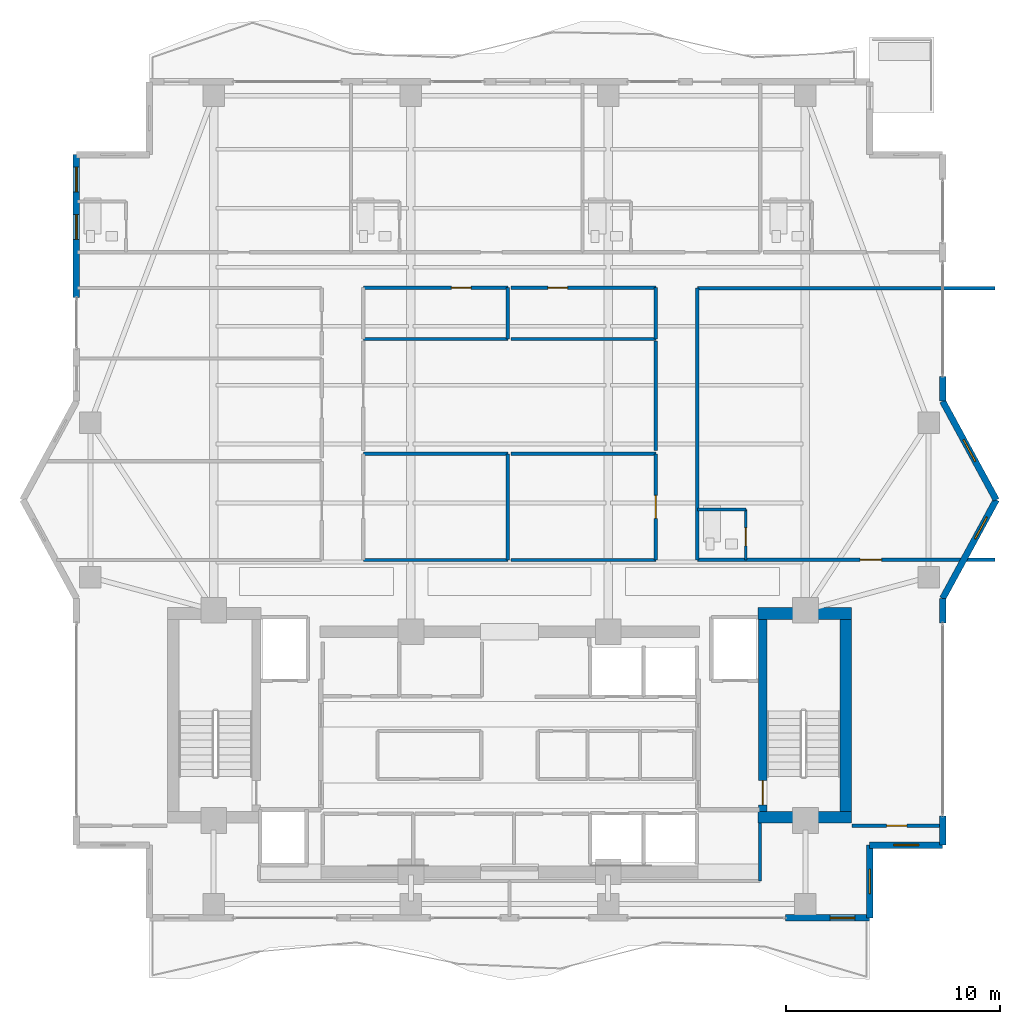
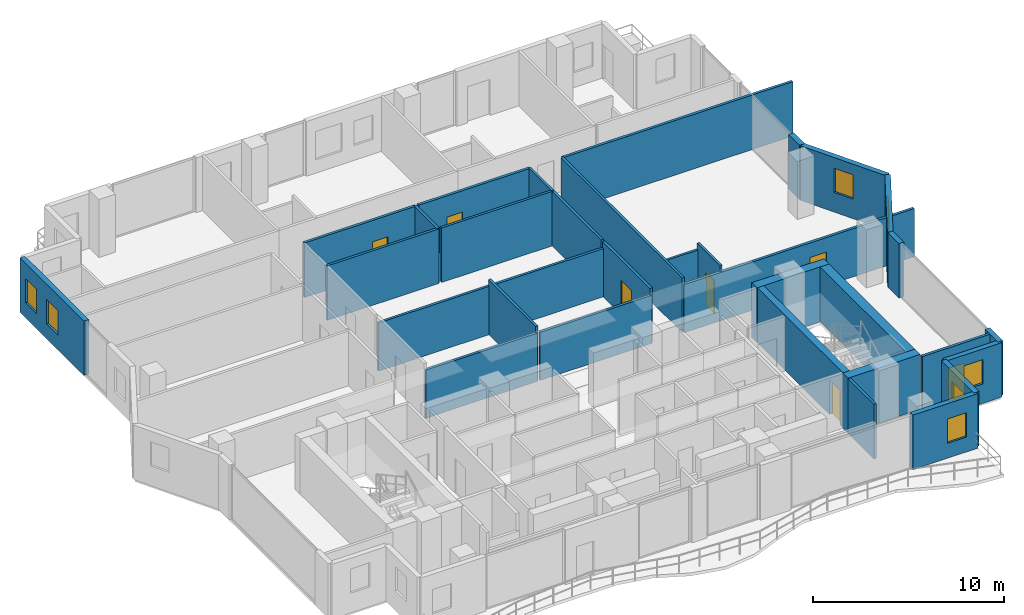
# One storey, part 19 of 24: 33 walls, 7 doors, 7 windows, 14 openings.
"""IFC4 building model written with IfcOpenShell, lengths in metres."""

from ifc_helpers import new_model, si_unit, direction, frame, frame_2d, origin, place, context, subcontext, project, spatial, rectangle, extrude, material, layer, layer_set, type_object, element, fill, save


model = new_model("IFC4")

# Units and contexts
model_context = context("Model", 3, precision=1e-05, world=origin(), true_north=direction((0.0, 1.0)))
body_context = subcontext(model_context, "Body", "Model", "MODEL_VIEW")
ifc_project = project(units=[si_unit("LENGTHUNIT", "METRE"), si_unit("AREAUNIT", "SQUARE_METRE"), si_unit("VOLUMEUNIT", "CUBIC_METRE"), si_unit("PLANEANGLEUNIT", "RADIAN"), si_unit("MASSUNIT", "GRAM", prefix="KILO")], contexts=[model_context])

# Site, building, storey
site_placement = place(None, origin())
site = spatial("IfcSite", under=ifc_project, at=site_placement, CompositionType="ELEMENT")
building_placement = place(site_placement, origin())
building = spatial("IfcBuilding", under=site, at=building_placement, Name="Zuhayl Quay Hotel", CompositionType="ELEMENT")
storey_placement = place(building_placement, frame((0.0, 0.0, 269.25)))
storey = spatial("IfcBuildingStorey", under=building, at=storey_placement, Name="L68", CompositionType="ELEMENT", Elevation=269.25)

# Walls
ifc_material_1 = material(Name="Concrete C50/60", Category="concrete")
ifc_layer_1 = layer(ifc_material_1, 0.550048828125, Name="Concrete C50/60", Category="concrete")
ifc_layer_set_1 = layer_set([ifc_layer_1], Name="Concrete C50/60")
wall_type_1 = type_object("IfcWallType", Name="WL_CORE_550", PredefinedType="SHEAR", material=ifc_layer_set_1)
wall_1_placement = place(storey_placement, frame((11.60009765625, 14.205078125, 0.0), z_axis=(0.0, 0.0, 1.0), x_axis=(1.0, 0.0, 0.0)))
element("IfcWall", 1, at=wall_1_placement, inside=storey, type_object=wall_type_1, Name="L68 Core Shear Wall CW_NE", PredefinedType="SHEAR", context=body_context, shape_type="SweptSolid", body=[
    extrude(rectangle(XDim=4.35986328125, YDim=0.550048828125, at=frame_2d((2.179931640625, 0.0))), origin(), (0.0, 0.0, 1.0), 3.510009765625),
])
wall_2_placement = place(storey_placement, frame((15.68505859375, 4.969970703125, 0.0), z_axis=(0.0, 0.0, 1.0), x_axis=(0.0, 1.0, 0.0)))
element("IfcWall", 2, at=wall_2_placement, inside=storey, type_object=wall_type_1, Name="L68 Core Shear Wall CW_E", PredefinedType="SHEAR", context=body_context, shape_type="SweptSolid", body=[
    extrude(rectangle(XDim=8.9599609375, YDim=0.550048828125, at=frame_2d((4.47998046875, 0.0))), origin(), (0.0, 0.0, 1.0), 3.510009765625),
])
wall_3_placement = place(storey_placement, frame((11.60009765625, 4.695068359375, 0.0), z_axis=(0.0, 0.0, 1.0), x_axis=(1.0, 0.0, 0.0)))
element("IfcWall", 3, at=wall_3_placement, inside=storey, type_object=wall_type_1, Name="L68 Core Shear Wall CW_SE", PredefinedType="SHEAR", context=body_context, shape_type="SweptSolid", body=[
    extrude(rectangle(XDim=4.35986328125, YDim=0.550048828125, at=frame_2d((2.179931640625, 0.0))), origin(), (0.0, 0.0, 1.0), 3.510009765625),
])

# Wall, openings, windows
ifc_material_2 = material(Name="Precast concrete C45/55", Category="concrete")
ifc_layer_2 = layer(ifc_material_2, 0.300048828125, Name="Precast concrete C45/55", Category="concrete")
ifc_layer_set_2 = layer_set([ifc_layer_2], Name="Precast concrete C45/55")
wall_type_2 = type_object("IfcWallType", Name="WL_EXT_300", PredefinedType="STANDARD", material=ifc_layer_set_2)
wall_4_placement = place(storey_placement, frame((-20.199951171875, 28.929931640625, 0.0), z_axis=(0.0, 0.0, 1.0), x_axis=(0.0, 1.0, 0.0)))
wall_4 = element("IfcWall", 4, at=wall_4_placement, inside=storey, type_object=wall_type_2, Name="L68 Exterior Precast Wall ENV_L68_E05_EW2", PredefinedType="STANDARD", context=body_context, shape_type="SweptSolid", body=[
    extrude(rectangle(XDim=6.670166015625, YDim=0.300048828125, at=frame_2d((3.3349609375, 0.0))), origin(), (0.0, 0.0, 1.0), 3.47998046875),
])
opening_1_placement = place(wall_4_placement, frame((2.72509765625, 0.0, 0.949951171875)))
opening_1 = element("IfcOpeningElement", 5, at=opening_1_placement, cuts=wall_4, Name="Opening W01N", PredefinedType="OPENING", context=body_context, shape_type="SweptSolid", body=[
    extrude(rectangle(XDim=1.14990234375, YDim=1.550048828125, at=frame_2d((0.574951171875, 0.77490234375))), frame((0.0, 0.159912109375, 0.0), z_axis=(0.0, -1.0, 0.0), x_axis=(1.0, 0.0, 0.0)), (0.0, 0.0, 1.0), 0.320068359375),
])
opening_2_placement = place(wall_4_placement, frame((4.93994140625, 0.0, 0.949951171875)))
opening_2 = element("IfcOpeningElement", 6, at=opening_2_placement, cuts=wall_4, Name="Opening W01N", PredefinedType="OPENING", context=body_context, shape_type="SweptSolid", body=[
    extrude(rectangle(XDim=1.14990234375, YDim=1.550048828125, at=frame_2d((0.574951171875, 0.77490234375))), frame((0.0, 0.159912109375, 0.0), z_axis=(0.0, -1.0, 0.0), x_axis=(1.0, 0.0, 0.0)), (0.0, 0.0, 1.0), 0.320068359375),
])
ifc_material_3 = material(Name="Dark Ceramic-Fritted Solar Glass", Category="glass")
window_type = type_object("IfcWindowType", Name="WN_NOTCH_1350", PartitioningType="SINGLE_PANEL", PredefinedType="WINDOW", material=ifc_material_3)
window_1_placement = place(opening_1_placement, origin())
window_1 = element("IfcWindow", 7, at=window_1_placement, inside=storey, type_object=window_type, Name="L68 Operable Facade Window 2-1", OverallHeight=1.550048828125, OverallWidth=1.14990234375, PartitioningType="SINGLE_PANEL", PredefinedType="WINDOW", context=body_context, shape_type="SweptSolid", body=[
    extrude(rectangle(XDim=1.14990234375, YDim=1.550048828125, at=frame_2d((0.574951171875, 0.77490234375))), frame((0.0, 0.030029296875, 0.0), z_axis=(0.0, -1.0, 0.0), x_axis=(1.0, 0.0, 0.0)), (0.0, 0.0, 1.0), 0.06005859375),
])
fill(opening_1, window_1)
window_2_placement = place(opening_2_placement, origin())
window_2 = element("IfcWindow", 8, at=window_2_placement, inside=storey, type_object=window_type, Name="L68 Operable Facade Window 2-2", OverallHeight=1.550048828125, OverallWidth=1.14990234375, PartitioningType="SINGLE_PANEL", PredefinedType="WINDOW", context=body_context, shape_type="SweptSolid", body=[
    extrude(rectangle(XDim=1.14990234375, YDim=1.550048828125, at=frame_2d((0.574951171875, 0.77490234375))), frame((0.0, 0.030029296875, 0.0), z_axis=(0.0, -1.0, 0.0), x_axis=(1.0, 0.0, 0.0)), (0.0, 0.0, 1.0), 0.06005859375),
])
fill(opening_2, window_2)

# Wall
wall_5_placement = place(storey_placement, frame((20.199951171875, 25.25, 0.0), z_axis=(0.0, 0.0, 1.0), x_axis=(0.0, -1.0, 0.0)))
element("IfcWall", 9, at=wall_5_placement, inside=storey, type_object=wall_type_2, Name="L68 Exterior Precast Wall ENV_L68_E11_EW3", PredefinedType="STANDARD", context=body_context, shape_type="SweptSolid", body=[
    extrude(rectangle(XDim=1.14990234375, YDim=0.300048828125, at=frame_2d((0.574951171875, 0.0))), origin(), (0.0, 0.0, 1.0), 3.47998046875),
])

# Wall, opening, window
wall_6_placement = place(storey_placement, frame((20.199951171875, 24.10009765625, 0.0), z_axis=(0.0, 0.0, 1.0), x_axis=(0.477505494629, -0.878628762675, 0.0)))
wall_6 = element("IfcWall", 10, at=wall_6_placement, inside=storey, type_object=wall_type_2, Name="L68 Exterior Precast Wall ENV_L68_EW12", PredefinedType="STANDARD", context=body_context, shape_type="SweptSolid", body=[
    extrude(rectangle(XDim=5.235595703125, YDim=0.300048828125, at=frame_2d((2.61767578125, 0.0))), origin(), (0.0, 0.0, 1.0), 3.47998046875),
])
opening_3_placement = place(wall_6_placement, frame((2.042724609375, 0.0, 1.25)))
opening_3 = element("IfcOpeningElement", 11, at=opening_3_placement, cuts=wall_6, Name="Opening W01N", PredefinedType="OPENING", context=body_context, shape_type="SweptSolid", body=[
    extrude(rectangle(XDim=1.14990234375, YDim=1.550048828125, at=frame_2d((0.574951171875, 0.77490234375))), frame((0.0, 0.159912109375, 0.0), z_axis=(0.0, -1.0, 0.0), x_axis=(1.0, 0.0, 0.0)), (0.0, 0.0, 1.0), 0.320068359375),
])
window_3_placement = place(opening_3_placement, origin())
window_3 = element("IfcWindow", 12, at=window_3_placement, inside=storey, type_object=window_type, Name="L68 Corner Notch Window 12", OverallHeight=1.550048828125, OverallWidth=1.14990234375, PartitioningType="SINGLE_PANEL", PredefinedType="WINDOW", context=body_context, shape_type="SweptSolid", body=[
    extrude(rectangle(XDim=1.14990234375, YDim=1.550048828125, at=frame_2d((0.574951171875, 0.77490234375))), frame((0.0, 0.030029296875, 0.0), z_axis=(0.0, -1.0, 0.0), x_axis=(1.0, 0.0, 0.0)), (0.0, 0.0, 1.0), 0.06005859375),
])
fill(opening_3, window_3)

wall_7_placement = place(storey_placement, frame((22.699951171875, 19.5, 0.0), z_axis=(0.0, 0.0, 1.0), x_axis=(-0.477505494629, -0.878628762675, 0.0)))
wall_7 = element("IfcWall", 13, at=wall_7_placement, inside=storey, type_object=wall_type_2, Name="L68 Exterior Precast Wall ENV_L68_EW13", PredefinedType="STANDARD", context=body_context, shape_type="SweptSolid", body=[
    extrude(rectangle(XDim=5.235595703125, YDim=0.300048828125, at=frame_2d((2.61767578125, 0.0))), origin(), (0.0, 0.0, 1.0), 3.47998046875),
])
opening_4_placement = place(wall_7_placement, frame((0.91064453125, 0.0, 1.25)))
opening_4 = element("IfcOpeningElement", 14, at=opening_4_placement, cuts=wall_7, Name="Opening W01N", PredefinedType="OPENING", context=body_context, shape_type="SweptSolid", body=[
    extrude(rectangle(XDim=1.14990234375, YDim=1.550048828125, at=frame_2d((0.574951171875, 0.77490234375))), frame((0.0, 0.159912109375, 0.0), z_axis=(0.0, -1.0, 0.0), x_axis=(1.0, 0.0, 0.0)), (0.0, 0.0, 1.0), 0.320068359375),
])
window_4_placement = place(opening_4_placement, origin())
window_4 = element("IfcWindow", 15, at=window_4_placement, inside=storey, type_object=window_type, Name="L68 Corner Notch Window 13", OverallHeight=1.550048828125, OverallWidth=1.14990234375, PartitioningType="SINGLE_PANEL", PredefinedType="WINDOW", context=body_context, shape_type="SweptSolid", body=[
    extrude(rectangle(XDim=1.14990234375, YDim=1.550048828125, at=frame_2d((0.574951171875, 0.77490234375))), frame((0.0, 0.030029296875, 0.0), z_axis=(0.0, -1.0, 0.0), x_axis=(1.0, 0.0, 0.0)), (0.0, 0.0, 1.0), 0.06005859375),
])
fill(opening_4, window_4)

# Walls
wall_8_placement = place(storey_placement, frame((20.199951171875, 14.89990234375, 0.0), z_axis=(0.0, 0.0, 1.0), x_axis=(0.0, -1.0, 0.0)))
element("IfcWall", 16, at=wall_8_placement, inside=storey, type_object=wall_type_2, Name="L68 Exterior Precast Wall ENV_L68_E14_EW1", PredefinedType="STANDARD", context=body_context, shape_type="SweptSolid", body=[
    extrude(rectangle(XDim=1.14990234375, YDim=0.300048828125, at=frame_2d((0.574951171875, 0.0))), origin(), (0.0, 0.0, 1.0), 3.47998046875),
])
wall_9_placement = place(storey_placement, frame((20.199951171875, 4.75, 0.0), z_axis=(0.0, 0.0, 1.0), x_axis=(0.0, -1.0, 0.0)))
element("IfcWall", 17, at=wall_9_placement, inside=storey, type_object=wall_type_2, Name="L68 Exterior Precast Wall ENV_L68_E14_EW2", PredefinedType="STANDARD", context=body_context, shape_type="SweptSolid", body=[
    extrude(rectangle(XDim=1.35009765625, YDim=0.300048828125, at=frame_2d((0.675048828125, 0.0))), origin(), (0.0, 0.0, 1.0), 3.47998046875),
])

# Wall, opening, window
wall_10_placement = place(storey_placement, frame((20.199951171875, 3.39990234375, 0.0), z_axis=(0.0, 0.0, 1.0), x_axis=(-1.0, 0.0, 0.0)))
wall_10 = element("IfcWall", 18, at=wall_10_placement, inside=storey, type_object=wall_type_2, Name="L68 Exterior Precast Wall ENV_L68_EW15", PredefinedType="STANDARD", context=body_context, shape_type="SweptSolid", body=[
    extrude(rectangle(XDim=3.39990234375, YDim=0.300048828125, at=frame_2d((1.699951171875, 0.0))), origin(), (0.0, 0.0, 1.0), 3.47998046875),
])
opening_5_placement = place(wall_10_placement, frame((1.125, 0.0, 1.25)))
opening_5 = element("IfcOpeningElement", 19, at=opening_5_placement, cuts=wall_10, Name="Opening W01N", PredefinedType="OPENING", context=body_context, shape_type="SweptSolid", body=[
    extrude(rectangle(XDim=1.14990234375, YDim=1.550048828125, at=frame_2d((0.574951171875, 0.77490234375))), frame((0.0, 0.159912109375, 0.0), z_axis=(0.0, -1.0, 0.0), x_axis=(1.0, 0.0, 0.0)), (0.0, 0.0, 1.0), 0.320068359375),
])
window_5_placement = place(opening_5_placement, origin())
window_5 = element("IfcWindow", 20, at=window_5_placement, inside=storey, type_object=window_type, Name="L68 Corner Notch Window 15", OverallHeight=1.550048828125, OverallWidth=1.14990234375, PartitioningType="SINGLE_PANEL", PredefinedType="WINDOW", context=body_context, shape_type="SweptSolid", body=[
    extrude(rectangle(XDim=1.14990234375, YDim=1.550048828125, at=frame_2d((0.574951171875, 0.77490234375))), frame((0.0, 0.030029296875, 0.0), z_axis=(0.0, -1.0, 0.0), x_axis=(1.0, 0.0, 0.0)), (0.0, 0.0, 1.0), 0.06005859375),
])
fill(opening_5, window_5)

wall_11_placement = place(storey_placement, frame((16.800048828125, 3.39990234375, 0.0), z_axis=(0.0, 0.0, 1.0), x_axis=(0.0, -1.0, 0.0)))
wall_11 = element("IfcWall", 21, at=wall_11_placement, inside=storey, type_object=wall_type_2, Name="L68 Exterior Precast Wall ENV_L68_EW16", PredefinedType="STANDARD", context=body_context, shape_type="SweptSolid", body=[
    extrude(rectangle(XDim=3.39990234375, YDim=0.300048828125, at=frame_2d((1.699951171875, 0.0))), origin(), (0.0, 0.0, 1.0), 3.47998046875),
])
opening_6_placement = place(wall_11_placement, frame((1.125, 0.0, 1.25)))
opening_6 = element("IfcOpeningElement", 22, at=opening_6_placement, cuts=wall_11, Name="Opening W01N", PredefinedType="OPENING", context=body_context, shape_type="SweptSolid", body=[
    extrude(rectangle(XDim=1.14990234375, YDim=1.550048828125, at=frame_2d((0.574951171875, 0.77490234375))), frame((0.0, 0.159912109375, 0.0), z_axis=(0.0, -1.0, 0.0), x_axis=(1.0, 0.0, 0.0)), (0.0, 0.0, 1.0), 0.320068359375),
])
window_6_placement = place(opening_6_placement, origin())
window_6 = element("IfcWindow", 23, at=window_6_placement, inside=storey, type_object=window_type, Name="L68 Corner Notch Window 16", OverallHeight=1.550048828125, OverallWidth=1.14990234375, PartitioningType="SINGLE_PANEL", PredefinedType="WINDOW", context=body_context, shape_type="SweptSolid", body=[
    extrude(rectangle(XDim=1.14990234375, YDim=1.550048828125, at=frame_2d((0.574951171875, 0.77490234375))), frame((0.0, 0.030029296875, 0.0), z_axis=(0.0, -1.0, 0.0), x_axis=(1.0, 0.0, 0.0)), (0.0, 0.0, 1.0), 0.06005859375),
])
fill(opening_6, window_6)

wall_12_placement = place(storey_placement, frame((16.800048828125, 0.0, 0.0), z_axis=(0.0, 0.0, 1.0), x_axis=(-1.0, 0.0, 0.0)))
wall_12 = element("IfcWall", 24, at=wall_12_placement, inside=storey, type_object=wall_type_2, Name="L68 Exterior Precast Wall ENV_L68_S_EW1", PredefinedType="STANDARD", context=body_context, shape_type="SweptSolid", body=[
    extrude(rectangle(XDim=3.920166015625, YDim=0.300048828125, at=frame_2d((1.9599609375, 0.0))), origin(), (0.0, 0.0, 1.0), 3.47998046875),
])
opening_7_placement = place(wall_12_placement, frame((0.695068359375, 0.0, 0.949951171875)))
opening_7 = element("IfcOpeningElement", 25, at=opening_7_placement, cuts=wall_12, Name="Opening W01N", PredefinedType="OPENING", context=body_context, shape_type="SweptSolid", body=[
    extrude(rectangle(XDim=1.14990234375, YDim=1.550048828125, at=frame_2d((0.574951171875, 0.77490234375))), frame((0.0, 0.159912109375, 0.0), z_axis=(0.0, -1.0, 0.0), x_axis=(1.0, 0.0, 0.0)), (0.0, 0.0, 1.0), 0.320068359375),
])
window_7_placement = place(opening_7_placement, origin())
window_7 = element("IfcWindow", 26, at=window_7_placement, inside=storey, type_object=window_type, Name="L68 Operable Facade Window 1-1", OverallHeight=1.550048828125, OverallWidth=1.14990234375, PartitioningType="SINGLE_PANEL", PredefinedType="WINDOW", context=body_context, shape_type="SweptSolid", body=[
    extrude(rectangle(XDim=1.14990234375, YDim=1.550048828125, at=frame_2d((0.574951171875, 0.77490234375))), frame((0.0, 0.030029296875, 0.0), z_axis=(0.0, -1.0, 0.0), x_axis=(1.0, 0.0, 0.0)), (0.0, 0.0, 1.0), 0.06005859375),
])
fill(opening_7, window_7)

# Walls
ifc_material_4 = material(Name="Acoustic Gypsum Partition STC-58")
ifc_layer_3 = layer(ifc_material_4, 0.14990234375, Name="Acoustic Gypsum Partition STC-58")
ifc_layer_set_3 = layer_set([ifc_layer_3], Name="Acoustic Gypsum Partition STC-58")
wall_type_3 = type_object("IfcWallType", Name="WL_PART_150", PredefinedType="PARTITIONING", material=ifc_layer_set_3)
wall_13_placement = place(storey_placement, frame((11.679931640625, 1.719970703125, 0.0), z_axis=(0.0, 0.0, 1.0), x_axis=(0.0, 1.0, 0.0)))
element("IfcWall", 27, at=wall_13_placement, inside=storey, type_object=wall_type_3, Name="L68 Partition IW_L68_Z4_SUN_SE_IN", PredefinedType="PARTITIONING", context=body_context, shape_type="SweptSolid", body=[
    extrude(rectangle(XDim=2.699951171875, YDim=0.14990234375, at=frame_2d((1.35009765625, 0.0))), origin(), (0.0, 0.0, 1.0), 3.47998046875),
])
wall_14_placement = place(storey_placement, frame((-6.820068359375, 27.0, 0.0), z_axis=(0.0, 0.0, 1.0), x_axis=(1.0, 0.0, 0.0)))
element("IfcWall", 28, at=wall_14_placement, inside=storey, type_object=wall_type_3, Name="L68 Partition IW_L68_HK_MAIN_S", PredefinedType="PARTITIONING", context=body_context, shape_type="SweptSolid", body=[
    extrude(rectangle(XDim=6.739990234375, YDim=0.14990234375, at=frame_2d((3.3701171875, 0.0))), origin(), (0.0, 0.0, 1.0), 3.47998046875),
])
wall_15_placement = place(storey_placement, frame((-0.080078125, 27.0, 0.0), z_axis=(0.0, 0.0, 1.0), x_axis=(0.0, 1.0, 0.0)))
element("IfcWall", 29, at=wall_15_placement, inside=storey, type_object=wall_type_3, Name="L68 Partition IW_L68_HK_MAIN_E", PredefinedType="PARTITIONING", context=body_context, shape_type="SweptSolid", body=[
    extrude(rectangle(XDim=2.39990234375, YDim=0.14990234375, at=frame_2d((1.199951171875, 0.0))), origin(), (0.0, 0.0, 1.0), 3.47998046875),
])
wall_16_placement = place(storey_placement, frame((0.080078125, 27.0, 0.0), z_axis=(0.0, 0.0, 1.0), x_axis=(1.0, 0.0, 0.0)))
element("IfcWall", 30, at=wall_16_placement, inside=storey, type_object=wall_type_3, Name="L68 Partition IW_L68_TEA_MAIN_S", PredefinedType="PARTITIONING", context=body_context, shape_type="SweptSolid", body=[
    extrude(rectangle(XDim=6.739990234375, YDim=0.14990234375, at=frame_2d((3.3701171875, 0.0))), origin(), (0.0, 0.0, 1.0), 3.47998046875),
])
wall_17_placement = place(storey_placement, frame((6.820068359375, 27.0, 0.0), z_axis=(0.0, 0.0, 1.0), x_axis=(0.0, 1.0, 0.0)))
element("IfcWall", 31, at=wall_17_placement, inside=storey, type_object=wall_type_3, Name="L68 Partition IW_L68_TEA_MAIN_E", PredefinedType="PARTITIONING", context=body_context, shape_type="SweptSolid", body=[
    extrude(rectangle(XDim=2.39990234375, YDim=0.14990234375, at=frame_2d((1.199951171875, 0.0))), origin(), (0.0, 0.0, 1.0), 3.47998046875),
])
for number, where, z_axis, x_axis, name in (
    (32, (-6.820068359375, 16.699951171875, 0.0), (0.0, 0.0, 1.0), (1.0, 0.0, 0.0), "L68 Partition IW_L68_Z4_CT1A_S"),
    (33, (-6.820068359375, 21.64990234375, 0.0), (0.0, 0.0, 1.0), (1.0, 0.0, 0.0), "L68 Partition IW_L68_Z4_CT1A_N"),
):
    element("IfcWall", number, at=place(storey_placement, frame(where, z_axis=z_axis, x_axis=x_axis)), inside=storey, type_object=wall_type_3, Name=name, PredefinedType="PARTITIONING", context=body_context, shape_type="SweptSolid", body=[
        extrude(rectangle(XDim=6.739990234375, YDim=0.14990234375, at=frame_2d((3.3701171875, 0.0))), origin(), (0.0, 0.0, 1.0), 3.075927734375),
    ])
wall_18_placement = place(storey_placement, frame((-0.080078125, 16.699951171875, 0.0), z_axis=(0.0, 0.0, 1.0), x_axis=(0.0, 1.0, 0.0)))
element("IfcWall", 34, at=wall_18_placement, inside=storey, type_object=wall_type_3, Name="L68 Partition IW_L68_Z4_CT1A_E", PredefinedType="PARTITIONING", context=body_context, shape_type="SweptSolid", body=[
    extrude(rectangle(XDim=4.949951171875, YDim=0.14990234375, at=frame_2d((2.47509765625, 0.0))), origin(), (0.0, 0.0, 1.0), 3.47998046875),
])
for number, where, z_axis, x_axis, name in (
    (35, (0.080078125, 16.699951171875, 0.0), (0.0, 0.0, 1.0), (1.0, 0.0, 0.0), "L68 Partition IW_L68_Z4_CT1B_S"),
    (36, (0.080078125, 21.64990234375, 0.0), (0.0, 0.0, 1.0), (1.0, 0.0, 0.0), "L68 Partition IW_L68_Z4_CT1B_N"),
):
    element("IfcWall", number, at=place(storey_placement, frame(where, z_axis=z_axis, x_axis=x_axis)), inside=storey, type_object=wall_type_3, Name=name, PredefinedType="PARTITIONING", context=body_context, shape_type="SweptSolid", body=[
        extrude(rectangle(XDim=6.739990234375, YDim=0.14990234375, at=frame_2d((3.3701171875, 0.0))), origin(), (0.0, 0.0, 1.0), 3.075927734375),
    ])
wall_19_placement = place(storey_placement, frame((6.820068359375, 21.81005859375, 0.0), z_axis=(0.0, 0.0, 1.0), x_axis=(0.0, 1.0, 0.0)))
element("IfcWall", 37, at=wall_19_placement, inside=storey, type_object=wall_type_3, Name="L68 Partition IW_L68_Z4_CT2_E", PredefinedType="PARTITIONING", context=body_context, shape_type="SweptSolid", body=[
    extrude(rectangle(XDim=5.10986328125, YDim=0.14990234375, at=frame_2d((2.554931640625, 0.0))), origin(), (0.0, 0.0, 1.0), 3.47998046875),
])
wall_20_placement = place(storey_placement, frame((8.760009765625, 16.699951171875, 0.0), z_axis=(0.0, 0.0, 1.0), x_axis=(0.0, 1.0, 0.0)))
element("IfcWall", 38, at=wall_20_placement, inside=storey, type_object=wall_type_3, Name="L68 Partition IW_L68_EU01_W", PredefinedType="PARTITIONING", context=body_context, shape_type="SweptSolid", body=[
    extrude(rectangle(XDim=12.679931640625, YDim=0.14990234375, at=frame_2d((6.33984375, 0.0))), origin(), (0.0, 0.0, 1.0), 3.47998046875),
])

# Wall, opening, door
ifc_layer_4 = layer(ifc_material_4, 0.159912109375, Name="Acoustic Gypsum Partition STC-58")
ifc_layer_set_4 = layer_set([ifc_layer_4], Name="Acoustic Gypsum Partition STC-58")
wall_type_4 = type_object("IfcWallType", Name="WL_PART_CORR_160", PredefinedType="PARTITIONING", material=ifc_layer_set_4)
wall_21_placement = place(storey_placement, frame((15.97998046875, 4.300048828125, 0.0), z_axis=(0.0, 0.0, 1.0), x_axis=(1.0, 0.0, 0.0)))
wall_21 = element("IfcWall", 39, at=wall_21_placement, inside=storey, type_object=wall_type_4, Name="L68 Partition IW_L68_Z4_SUN_SE_N", PredefinedType="PARTITIONING", context=body_context, shape_type="SweptSolid", body=[
    extrude(rectangle(XDim=4.159912109375, YDim=0.159912109375, at=frame_2d((2.080078125, 0.0))), origin(), (0.0, 0.0, 1.0), 3.47998046875),
])
opening_8_placement = place(wall_21_placement, frame((1.60498046875, 0.0, 0.0)))
opening_8 = element("IfcOpeningElement", 40, at=opening_8_placement, cuts=wall_21, Name="Opening D03", PredefinedType="OPENING", context=body_context, shape_type="SweptSolid", body=[
    extrude(rectangle(XDim=0.949951171875, YDim=2.14990234375, at=frame_2d((0.47509765625, 1.074951171875))), frame((0.0, 0.08984375, 0.0), z_axis=(0.0, -1.0, 0.0), x_axis=(1.0, 0.0, 0.0)), (0.0, 0.0, 1.0), 0.179931640625),
])
ifc_material_5 = material(Name="Solid Walnut Acoustic Fire Door")
door_type_1 = type_object("IfcDoorType", Name="DR_SUITE_950", OperationType="NOTDEFINED", PredefinedType="DOOR", material=ifc_material_5)
door_1_placement = place(opening_8_placement, origin())
door_1 = element("IfcDoor", 41, at=door_1_placement, inside=storey, type_object=door_type_1, Name="L68 Sunset Salon SE Door", OperationType="SINGLE_SWING_LEFT", OverallHeight=2.14990234375, OverallWidth=0.949951171875, PredefinedType="DOOR", context=body_context, shape_type="SweptSolid", body=[
    extrude(rectangle(XDim=0.949951171875, YDim=2.14990234375, at=frame_2d((0.47509765625, 1.074951171875))), frame((0.0, 0.02490234375, 0.0), z_axis=(0.0, -1.0, 0.0), x_axis=(1.0, 0.0, 0.0)), (0.0, 0.0, 1.0), 0.050048828125),
])
fill(opening_8, door_1)

wall_22_placement = place(storey_placement, frame((-6.820068359375, 29.39990234375, 0.0), z_axis=(0.0, 0.0, 1.0), x_axis=(1.0, 0.0, 0.0)))
wall_22 = element("IfcWall", 42, at=wall_22_placement, inside=storey, type_object=wall_type_4, Name="L68 Partition IW_L68_HK_MAIN_N", PredefinedType="PARTITIONING", context=body_context, shape_type="SweptSolid", body=[
    extrude(rectangle(XDim=6.739990234375, YDim=0.159912109375, at=frame_2d((3.3701171875, 0.0))), origin(), (0.0, 0.0, 1.0), 3.47998046875),
])
opening_9_placement = place(wall_22_placement, frame((4.110107421875, 0.0, 0.0)))
opening_9 = element("IfcOpeningElement", 43, at=opening_9_placement, cuts=wall_22, Name="Opening D05", PredefinedType="OPENING", context=body_context, shape_type="SweptSolid", body=[
    extrude(rectangle(XDim=0.919921875, YDim=2.1201171875, at=frame_2d((0.4599609375, 1.06005859375))), frame((0.0, 0.08984375, 0.0), z_axis=(0.0, -1.0, 0.0), x_axis=(1.0, 0.0, 0.0)), (0.0, 0.0, 1.0), 0.179931640625),
])
door_type_2 = type_object("IfcDoorType", Name="DR_INT_950", OperationType="NOTDEFINED", PredefinedType="DOOR", material=ifc_material_5)
door_2_placement = place(opening_9_placement, origin())
door_2 = element("IfcDoor", 44, at=door_2_placement, inside=storey, type_object=door_type_2, Name="L68 Housekeeping and Linen Room Door", OperationType="SINGLE_SWING_RIGHT", OverallHeight=2.1201171875, OverallWidth=0.919921875, PredefinedType="DOOR", context=body_context, shape_type="SweptSolid", body=[
    extrude(rectangle(XDim=0.919921875, YDim=2.1201171875, at=frame_2d((0.4599609375, 1.06005859375))), frame((0.0, 0.02490234375, 0.0), z_axis=(0.0, -1.0, 0.0), x_axis=(1.0, 0.0, 0.0)), (0.0, 0.0, 1.0), 0.050048828125),
])
fill(opening_9, door_2)

wall_23_placement = place(storey_placement, frame((0.080078125, 29.39990234375, 0.0), z_axis=(0.0, 0.0, 1.0), x_axis=(1.0, 0.0, 0.0)))
wall_23 = element("IfcWall", 45, at=wall_23_placement, inside=storey, type_object=wall_type_4, Name="L68 Partition IW_L68_TEA_MAIN_N", PredefinedType="PARTITIONING", context=body_context, shape_type="SweptSolid", body=[
    extrude(rectangle(XDim=6.739990234375, YDim=0.159912109375, at=frame_2d((3.3701171875, 0.0))), origin(), (0.0, 0.0, 1.0), 3.47998046875),
])
opening_10_placement = place(wall_23_placement, frame((1.7099609375, 0.0, 0.0)))
opening_10 = element("IfcOpeningElement", 46, at=opening_10_placement, cuts=wall_23, Name="Opening D05", PredefinedType="OPENING", context=body_context, shape_type="SweptSolid", body=[
    extrude(rectangle(XDim=0.919921875, YDim=2.1201171875, at=frame_2d((0.4599609375, 1.06005859375))), frame((0.0, 0.08984375, 0.0), z_axis=(0.0, -1.0, 0.0), x_axis=(1.0, 0.0, 0.0)), (0.0, 0.0, 1.0), 0.179931640625),
])
door_3_placement = place(opening_10_placement, origin())
door_3 = element("IfcDoor", 47, at=door_3_placement, inside=storey, type_object=door_type_2, Name="L68 Floor Beverage Pantry Door", OperationType="SINGLE_SWING_LEFT", OverallHeight=2.1201171875, OverallWidth=0.919921875, PredefinedType="DOOR", context=body_context, shape_type="SweptSolid", body=[
    extrude(rectangle(XDim=0.919921875, YDim=2.1201171875, at=frame_2d((0.4599609375, 1.06005859375))), frame((0.0, 0.02490234375, 0.0), z_axis=(0.0, -1.0, 0.0), x_axis=(1.0, 0.0, 0.0)), (0.0, 0.0, 1.0), 0.050048828125),
])
fill(opening_10, door_3)

wall_24_placement = place(storey_placement, frame((6.820068359375, 16.699951171875, 0.0), z_axis=(0.0, 0.0, 1.0), x_axis=(0.0, 1.0, 0.0)))
wall_24 = element("IfcWall", 48, at=wall_24_placement, inside=storey, type_object=wall_type_4, Name="L68 Partition IW_L68_Z4_CT1B_E", PredefinedType="PARTITIONING", context=body_context, shape_type="SweptSolid", body=[
    extrude(rectangle(XDim=4.949951171875, YDim=0.159912109375, at=frame_2d((2.47509765625, 0.0))), origin(), (0.0, 0.0, 1.0), 3.47998046875),
])
opening_11_placement = place(wall_24_placement, frame((1.93505859375, 0.0, 0.0)))
opening_11 = element("IfcOpeningElement", 49, at=opening_11_placement, cuts=wall_24, Name="Opening D05A", PredefinedType="OPENING", context=body_context, shape_type="SweptSolid", body=[
    extrude(rectangle(XDim=1.080078125, YDim=2.179931640625, at=frame_2d((0.5400390625, 1.08984375))), frame((0.0, 0.08984375, 0.0), z_axis=(0.0, -1.0, 0.0), x_axis=(1.0, 0.0, 0.0)), (0.0, 0.0, 1.0), 0.179931640625),
])
door_type_3 = type_object("IfcDoorType", Name="DR_INT_1100", OperationType="NOTDEFINED", PredefinedType="DOOR", material=ifc_material_5)
door_4_placement = place(opening_11_placement, origin())
door_4 = element("IfcDoor", 50, at=door_4_placement, inside=storey, type_object=door_type_3, Name="L68 Royal Library Lounge Door", OperationType="SINGLE_SWING_LEFT", OverallHeight=2.179931640625, OverallWidth=1.080078125, PredefinedType="DOOR", context=body_context, shape_type="SweptSolid", body=[
    extrude(rectangle(XDim=1.080078125, YDim=2.179931640625, at=frame_2d((0.5400390625, 1.08984375))), frame((0.0, 0.02490234375, 0.0), z_axis=(0.0, -1.0, 0.0), x_axis=(1.0, 0.0, 0.0)), (0.0, 0.0, 1.0), 0.050048828125),
])
fill(opening_11, door_4)

wall_25_placement = place(storey_placement, frame((8.760009765625, 16.699951171875, 0.0), z_axis=(0.0, 0.0, 1.0), x_axis=(1.0, 0.0, 0.0)))
wall_25 = element("IfcWall", 51, at=wall_25_placement, inside=storey, type_object=wall_type_4, Name="L68 Partition IW_L68_EU01_COR", PredefinedType="PARTITIONING", context=body_context, shape_type="SweptSolid", body=[
    extrude(rectangle(XDim=13.8798828125, YDim=0.159912109375, at=frame_2d((6.93994140625, 0.0))), origin(), (0.0, 0.0, 1.0), 3.075927734375),
])
opening_12_placement = place(wall_25_placement, frame((7.590087890625, 0.0, 0.0)))
opening_12 = element("IfcOpeningElement", 52, at=opening_12_placement, cuts=wall_25, Name="Opening D03L", PredefinedType="OPENING", context=body_context, shape_type="SweptSolid", body=[
    extrude(rectangle(XDim=1.0, YDim=2.14990234375, at=frame_2d((0.5, 1.074951171875))), frame((0.0, 0.08984375, 0.0), z_axis=(0.0, -1.0, 0.0), x_axis=(1.0, 0.0, 0.0)), (0.0, 0.0, 1.0), 0.179931640625),
])
door_type_4 = type_object("IfcDoorType", Name="DR_SUITE_1000", OperationType="NOTDEFINED", PredefinedType="DOOR", material=ifc_material_5)
door_5_placement = place(opening_12_placement, origin())
door_5 = element("IfcDoor", 53, at=door_5_placement, inside=storey, type_object=door_type_4, Name="L68 Grand Horizon East Suite L68 Entrance Door", OperationType="SINGLE_SWING_LEFT", OverallHeight=2.14990234375, OverallWidth=1.0, PredefinedType="DOOR", context=body_context, shape_type="SweptSolid", body=[
    extrude(rectangle(XDim=1.0, YDim=2.14990234375, at=frame_2d((0.5, 1.074951171875))), frame((0.0, 0.02490234375, 0.0), z_axis=(0.0, -1.0, 0.0), x_axis=(1.0, 0.0, 0.0)), (0.0, 0.0, 1.0), 0.050048828125),
])
fill(opening_12, door_5)

# Wall
wall_26_placement = place(storey_placement, frame((8.760009765625, 29.3798828125, 0.0), z_axis=(0.0, 0.0, 1.0), x_axis=(1.0, 0.0, 0.0)))
element("IfcWall", 54, at=wall_26_placement, inside=storey, type_object=wall_type_4, Name="L68 Partition IW_L68_EU01_BK", PredefinedType="PARTITIONING", context=body_context, shape_type="SweptSolid", body=[
    extrude(rectangle(XDim=13.8798828125, YDim=0.159912109375, at=frame_2d((6.93994140625, 0.0))), origin(), (0.0, 0.0, 1.0), 3.47998046875),
])

# Wall, opening, door
ifc_material_6 = material(Name="Moisture-Resistant Sanitarychase Gypsum")
ifc_layer_5 = layer(ifc_material_6, 0.135009765625, Name="Moisture-Resistant Sanitarychase Gypsum")
ifc_layer_set_5 = layer_set([ifc_layer_5], Name="Moisture-Resistant Sanitarychase Gypsum")
wall_type_5 = type_object("IfcWallType", Name="WL_PART_PLUMB_150", PredefinedType="PLUMBINGWALL", material=ifc_layer_set_5)
wall_27_placement = place(storey_placement, frame((11.02001953125, 16.699951171875, 0.0), z_axis=(0.0, 0.0, 1.0), x_axis=(0.0, 1.0, 0.0)))
wall_27 = element("IfcWall", 55, at=wall_27_placement, inside=storey, type_object=wall_type_5, Name="L68 Partition IW_L68_EU01_BE", PredefinedType="PLUMBINGWALL", context=body_context, shape_type="SweptSolid", body=[
    extrude(rectangle(XDim=2.360107421875, YDim=0.135009765625, at=frame_2d((1.18017578125, 0.0))), origin(), (0.0, 0.0, 1.0), 3.47998046875),
])
opening_13_placement = place(wall_27_placement, frame((0.64990234375, 0.0, 0.0)))
opening_13 = element("IfcOpeningElement", 56, at=opening_13_placement, cuts=wall_27, Name="Opening D04", PredefinedType="OPENING", context=body_context, shape_type="SweptSolid", body=[
    extrude(rectangle(XDim=0.85009765625, YDim=2.10009765625, at=frame_2d((0.425048828125, 1.050048828125))), frame((0.0, 0.077392578125, 0.0), z_axis=(0.0, -1.0, 0.0), x_axis=(1.0, 0.0, 0.0)), (0.0, 0.0, 1.0), 0.155029296875),
])
ifc_material_7 = material(Name="Moisture-Resistant Walnut Veneer")
door_type_5 = type_object("IfcDoorType", Name="DR_BATH_850", OperationType="NOTDEFINED", PredefinedType="DOOR", material=ifc_material_7)
door_6_placement = place(opening_13_placement, origin())
door_6 = element("IfcDoor", 57, at=door_6_placement, inside=storey, type_object=door_type_5, Name="L68 Grand Horizon East Suite L68 En-Suite Door", OperationType="SINGLE_SWING_RIGHT", OverallHeight=2.10009765625, OverallWidth=0.85009765625, PredefinedType="DOOR", context=body_context, shape_type="SweptSolid", body=[
    extrude(rectangle(XDim=0.85009765625, YDim=2.10009765625, at=frame_2d((0.425048828125, 1.050048828125))), frame((0.0, 0.02490234375, 0.0), z_axis=(0.0, -1.0, 0.0), x_axis=(1.0, 0.0, 0.0)), (0.0, 0.0, 1.0), 0.050048828125),
])
fill(opening_13, door_6)

# Wall
wall_28_placement = place(storey_placement, frame((8.760009765625, 19.06005859375, 0.0), z_axis=(0.0, 0.0, 1.0), x_axis=(1.0, 0.0, 0.0)))
element("IfcWall", 58, at=wall_28_placement, inside=storey, type_object=wall_type_5, Name="L68 Partition IW_L68_EU01_BN", PredefinedType="PLUMBINGWALL", context=body_context, shape_type="SweptSolid", body=[
    extrude(rectangle(XDim=2.260009765625, YDim=0.135009765625, at=frame_2d((1.1298828125, 0.0))), origin(), (0.0, 0.0, 1.0), 3.075927734375),
])

# Wall, opening, door
ifc_material_8 = material(Name="Concrete C60/75", Category="concrete")
ifc_layer_6 = layer(ifc_material_8, 0.39990234375, Name="Concrete C60/75", Category="concrete")
ifc_layer_set_6 = layer_set([ifc_layer_6], Name="Concrete C60/75")
wall_type_6 = type_object("IfcWallType", Name="WL_STAIR_400", PredefinedType="SHEAR", material=ifc_layer_set_6)
wall_29_placement = place(storey_placement, frame((11.820068359375, 13.929931640625, 0.0), z_axis=(0.0, 0.0, 1.0), x_axis=(0.0, -1.0, 0.0)))
wall_29 = element("IfcWall", 59, at=wall_29_placement, inside=storey, type_object=wall_type_6, Name="L68 Core Shear Wall SW_ST2", PredefinedType="SHEAR", context=body_context, shape_type="SweptSolid", body=[
    extrude(rectangle(XDim=8.9599609375, YDim=0.39990234375, at=frame_2d((4.47998046875, 0.0))), origin(), (0.0, 0.0, 1.0), 3.510009765625),
])
opening_14_placement = place(wall_29_placement, frame((7.530029296875, 0.0, 0.0)))
opening_14 = element("IfcOpeningElement", 60, at=opening_14_placement, cuts=wall_29, Name="Opening D01", PredefinedType="OPENING", context=body_context, shape_type="SweptSolid", body=[
    extrude(rectangle(XDim=1.1201171875, YDim=2.219970703125, at=frame_2d((0.56005859375, 1.10986328125))), frame((0.0, 0.2099609375, 0.0), z_axis=(0.0, -1.0, 0.0), x_axis=(1.0, 0.0, 0.0)), (0.0, 0.0, 1.0), 0.419921875),
])
ifc_material_9 = material(Name="Steel ASTM A992 Grade 50", Category="steel")
door_type_6 = type_object("IfcDoorType", Name="DR_STAIR_90_1100", OperationType="NOTDEFINED", PredefinedType="DOOR", material=ifc_material_9)
door_7_placement = place(opening_14_placement, origin())
door_7 = element("IfcDoor", 61, at=door_7_placement, inside=storey, type_object=door_type_6, Name="L68 Smokeproof Exit Stair ST2 Door", OperationType="SINGLE_SWING_RIGHT", OverallHeight=2.219970703125, OverallWidth=1.1201171875, PredefinedType="DOOR", context=body_context, shape_type="SweptSolid", body=[
    extrude(rectangle(XDim=1.1201171875, YDim=2.219970703125, at=frame_2d((0.56005859375, 1.10986328125))), frame((0.0, 0.02490234375, 0.0), z_axis=(0.0, -1.0, 0.0), x_axis=(1.0, 0.0, 0.0)), (0.0, 0.0, 1.0), 0.050048828125),
])
fill(opening_14, door_7)

save(model, "model.ifc")
